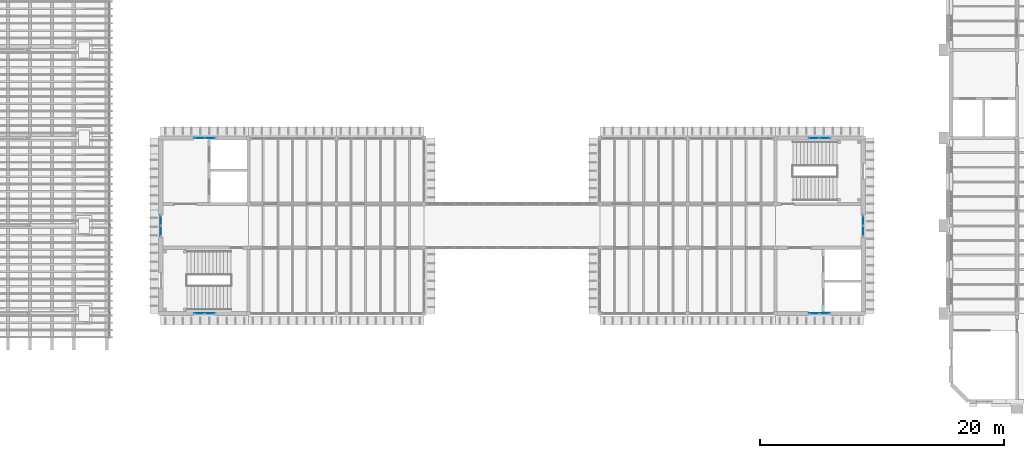
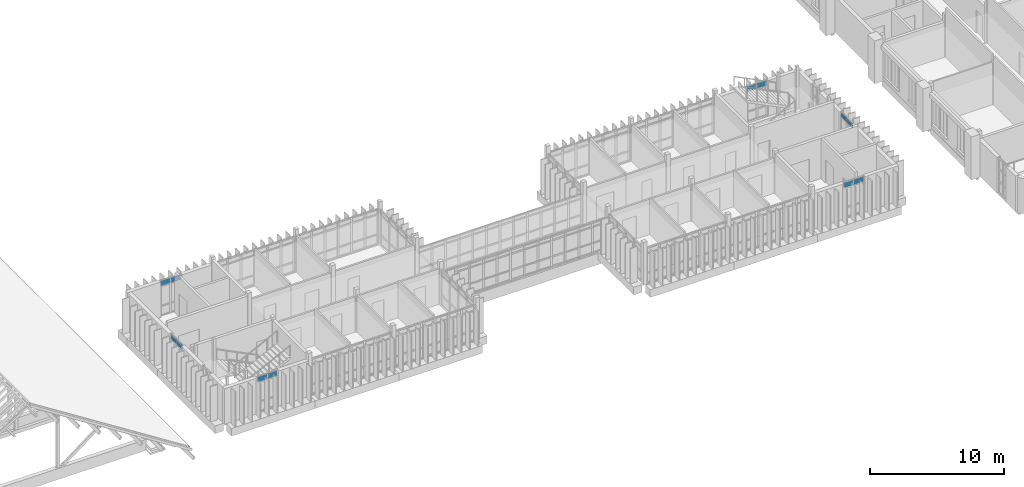
# One storey, part 39 of 71: 12 plates, 6 elements without a shape of their own.
"""IFC4 building model written with IfcOpenShell, lengths in metres."""

from ifc_helpers import new_model, si_unit, direction, frame, origin, origin_2d, place, context, subcontext, project, spatial, rectangle, extrude, material, layer, layer_set, type_object, element, aggregate, save


model = new_model("IFC4")

# Units and contexts
model_context = context("Model", 3, precision=1e-05, world=origin(), true_north=direction((0.0, 1.0)))
body_context = subcontext(model_context, "Body", "Model", "MODEL_VIEW")
ifc_project = project(units=[si_unit("LENGTHUNIT", "METRE"), si_unit("AREAUNIT", "SQUARE_METRE"), si_unit("VOLUMEUNIT", "CUBIC_METRE"), si_unit("PLANEANGLEUNIT", "RADIAN"), si_unit("MASSUNIT", "GRAM", prefix="KILO")], contexts=[model_context])

# Site, building, storey
site_placement = place(None, origin())
site = spatial("IfcSite", under=ifc_project, at=site_placement, CompositionType="ELEMENT")
building_placement = place(site_placement, origin())
building = spatial("IfcBuilding", under=site, at=building_placement, Name="Mazhai Court Health Centre", CompositionType="ELEMENT")
storey_placement = place(building_placement, frame((0.0, 0.0, 10.199951171875)))
storey = spatial("IfcBuildingStorey", under=building, at=storey_placement, Name="L02", CompositionType="ELEMENT", Elevation=10.199951171875)

# Curtain wall, plates
ifc_material_1 = material(Name="Teak timber frame, glazed", Category="wood")
ifc_layer_1 = layer(ifc_material_1, 0.10009765625)
ifc_layer_set_1 = layer_set([ifc_layer_1], Name="CURTAIN WALL TIMBER 900")
curtain_wall_type = type_object("IfcCurtainWallType", Name="CURTAIN WALL TIMBER 900", PredefinedType="NOTDEFINED", material=ifc_layer_set_1)
curtain_wall_1_placement = place(storey_placement, origin())
curtain_wall_1 = element("IfcCurtainWall", 1, at=curtain_wall_1_placement, inside=storey, type_object=curtain_wall_type, Name="CW-V4-L02-A0", PredefinedType="NOTDEFINED")
ifc_material_2 = material(Name="Glass IGU 28 mm", Category="glass")
ifc_layer_2 = layer(ifc_material_2, 0.028076171875)
ifc_layer_set_2 = layer_set([ifc_layer_2], Name="CW PANEL IGU 28")
plate_type = type_object("IfcPlateType", Name="CW PANEL IGU 28", PredefinedType="CURTAIN_PANEL", material=ifc_layer_set_2)
plate_1_placement = place(storey_placement, frame((75.034912109375, 13.39990234375, 2.72998046875), z_axis=(0.0, 0.0, 1.0), x_axis=(-1.0, 0.0, 0.0)))
plate_1 = element("IfcPlate", 2, at=plate_1_placement, type_object=plate_type, Name="CW panel 1.3", PredefinedType="CURTAIN_PANEL", context=body_context, shape_type="SweptSolid", body=[
    extrude(rectangle(XDim=0.81005859375, YDim=0.028076171875, at=origin_2d()), origin(), (0.0, 0.0, 1.0), 0.429931640625),
])
plate_2_placement = place(storey_placement, frame((74.1650390625, 13.39990234375, 2.72998046875), z_axis=(0.0, 0.0, 1.0), x_axis=(-1.0, 0.0, 0.0)))
plate_2 = element("IfcPlate", 3, at=plate_2_placement, type_object=plate_type, Name="CW panel 2.3", PredefinedType="CURTAIN_PANEL", context=body_context, shape_type="SweptSolid", body=[
    extrude(rectangle(XDim=0.81005859375, YDim=0.028076171875, at=origin_2d()), origin(), (0.0, 0.0, 1.0), 0.429931640625),
])
aggregate(curtain_wall_1, [plate_1, plate_2])

curtain_wall_2_placement = place(storey_placement, origin())
curtain_wall_2 = element("IfcCurtainWall", 4, at=curtain_wall_2_placement, inside=storey, type_object=curtain_wall_type, Name="CW-V4-L02-A7", PredefinedType="NOTDEFINED")
plate_3_placement = place(storey_placement, frame((125.43505859375, 13.39990234375, 2.72998046875), z_axis=(0.0, 0.0, 1.0), x_axis=(-1.0, 0.0, 0.0)))
plate_3 = element("IfcPlate", 5, at=plate_3_placement, type_object=plate_type, Name="CW panel 1.3", PredefinedType="CURTAIN_PANEL", context=body_context, shape_type="SweptSolid", body=[
    extrude(rectangle(XDim=0.81005859375, YDim=0.028076171875, at=origin_2d()), origin(), (0.0, 0.0, 1.0), 0.429931640625),
])
plate_4_placement = place(storey_placement, frame((124.56494140625, 13.39990234375, 2.72998046875), z_axis=(0.0, 0.0, 1.0), x_axis=(-1.0, 0.0, 0.0)))
plate_4 = element("IfcPlate", 6, at=plate_4_placement, type_object=plate_type, Name="CW panel 2.3", PredefinedType="CURTAIN_PANEL", context=body_context, shape_type="SweptSolid", body=[
    extrude(rectangle(XDim=0.81005859375, YDim=0.028076171875, at=origin_2d()), origin(), (0.0, 0.0, 1.0), 0.429931640625),
])
aggregate(curtain_wall_2, [plate_3, plate_4])

curtain_wall_3_placement = place(storey_placement, origin())
curtain_wall_3 = element("IfcCurtainWall", 7, at=curtain_wall_3_placement, inside=storey, type_object=curtain_wall_type, Name="CW-V4-L02-B0", PredefinedType="NOTDEFINED")
plate_5_placement = place(storey_placement, frame((74.1650390625, 27.800048828125, 2.72998046875), z_axis=(0.0, 0.0, 1.0), x_axis=(1.0, 0.0, 0.0)))
plate_5 = element("IfcPlate", 8, at=plate_5_placement, type_object=plate_type, Name="CW panel 1.3", PredefinedType="CURTAIN_PANEL", context=body_context, shape_type="SweptSolid", body=[
    extrude(rectangle(XDim=0.81005859375, YDim=0.028076171875, at=origin_2d()), origin(), (0.0, 0.0, 1.0), 0.429931640625),
])
plate_6_placement = place(storey_placement, frame((75.034912109375, 27.800048828125, 2.72998046875), z_axis=(0.0, 0.0, 1.0), x_axis=(1.0, 0.0, 0.0)))
plate_6 = element("IfcPlate", 9, at=plate_6_placement, type_object=plate_type, Name="CW panel 2.3", PredefinedType="CURTAIN_PANEL", context=body_context, shape_type="SweptSolid", body=[
    extrude(rectangle(XDim=0.81005859375, YDim=0.028076171875, at=origin_2d()), origin(), (0.0, 0.0, 1.0), 0.429931640625),
])
aggregate(curtain_wall_3, [plate_5, plate_6])

curtain_wall_4_placement = place(storey_placement, origin())
curtain_wall_4 = element("IfcCurtainWall", 10, at=curtain_wall_4_placement, inside=storey, type_object=curtain_wall_type, Name="CW-V4-L02-B7", PredefinedType="NOTDEFINED")
plate_7_placement = place(storey_placement, frame((124.56494140625, 27.800048828125, 2.72998046875), z_axis=(0.0, 0.0, 1.0), x_axis=(1.0, 0.0, 0.0)))
plate_7 = element("IfcPlate", 11, at=plate_7_placement, type_object=plate_type, Name="CW panel 1.3", PredefinedType="CURTAIN_PANEL", context=body_context, shape_type="SweptSolid", body=[
    extrude(rectangle(XDim=0.81005859375, YDim=0.028076171875, at=origin_2d()), origin(), (0.0, 0.0, 1.0), 0.429931640625),
])
plate_8_placement = place(storey_placement, frame((125.43505859375, 27.800048828125, 2.72998046875), z_axis=(0.0, 0.0, 1.0), x_axis=(1.0, 0.0, 0.0)))
plate_8 = element("IfcPlate", 12, at=plate_8_placement, type_object=plate_type, Name="CW panel 2.3", PredefinedType="CURTAIN_PANEL", context=body_context, shape_type="SweptSolid", body=[
    extrude(rectangle(XDim=0.81005859375, YDim=0.028076171875, at=origin_2d()), origin(), (0.0, 0.0, 1.0), 0.429931640625),
])
aggregate(curtain_wall_4, [plate_7, plate_8])

curtain_wall_5_placement = place(storey_placement, origin())
curtain_wall_5 = element("IfcCurtainWall", 13, at=curtain_wall_5_placement, inside=storey, type_object=curtain_wall_type, Name="CW-V4-L02-SLIFT1", PredefinedType="NOTDEFINED")
plate_9_placement = place(storey_placement, frame((71.0, 20.1650390625, 2.72998046875), z_axis=(0.0, 0.0, 1.0), x_axis=(0.0, 1.0, 0.0)))
plate_9 = element("IfcPlate", 14, at=plate_9_placement, type_object=plate_type, Name="CW panel 1.3", PredefinedType="CURTAIN_PANEL", context=body_context, shape_type="SweptSolid", body=[
    extrude(rectangle(XDim=0.81005859375, YDim=0.028076171875, at=origin_2d()), origin(), (0.0, 0.0, 1.0), 0.409912109375),
])
plate_10_placement = place(storey_placement, frame((71.0, 21.034912109375, 2.72998046875), z_axis=(0.0, 0.0, 1.0), x_axis=(0.0, 1.0, 0.0)))
plate_10 = element("IfcPlate", 15, at=plate_10_placement, type_object=plate_type, Name="CW panel 2.3", PredefinedType="CURTAIN_PANEL", context=body_context, shape_type="SweptSolid", body=[
    extrude(rectangle(XDim=0.81005859375, YDim=0.028076171875, at=origin_2d()), origin(), (0.0, 0.0, 1.0), 0.409912109375),
])
aggregate(curtain_wall_5, [plate_9, plate_10])

curtain_wall_6_placement = place(storey_placement, origin())
curtain_wall_6 = element("IfcCurtainWall", 16, at=curtain_wall_6_placement, inside=storey, type_object=curtain_wall_type, Name="CW-V4-L02-ELIFT0", PredefinedType="NOTDEFINED")
plate_11_placement = place(storey_placement, frame((128.60009765625, 21.034912109375, 2.72998046875), z_axis=(0.0, 0.0, 1.0), x_axis=(0.0, -1.0, 0.0)))
plate_11 = element("IfcPlate", 17, at=plate_11_placement, type_object=plate_type, Name="CW panel 1.3", PredefinedType="CURTAIN_PANEL", context=body_context, shape_type="SweptSolid", body=[
    extrude(rectangle(XDim=0.81005859375, YDim=0.028076171875, at=origin_2d()), origin(), (0.0, 0.0, 1.0), 0.409912109375),
])
plate_12_placement = place(storey_placement, frame((128.60009765625, 20.1650390625, 2.72998046875), z_axis=(0.0, 0.0, 1.0), x_axis=(0.0, -1.0, 0.0)))
plate_12 = element("IfcPlate", 18, at=plate_12_placement, type_object=plate_type, Name="CW panel 2.3", PredefinedType="CURTAIN_PANEL", context=body_context, shape_type="SweptSolid", body=[
    extrude(rectangle(XDim=0.81005859375, YDim=0.028076171875, at=origin_2d()), origin(), (0.0, 0.0, 1.0), 0.409912109375),
])
aggregate(curtain_wall_6, [plate_11, plate_12])

save(model, "model.ifc")
